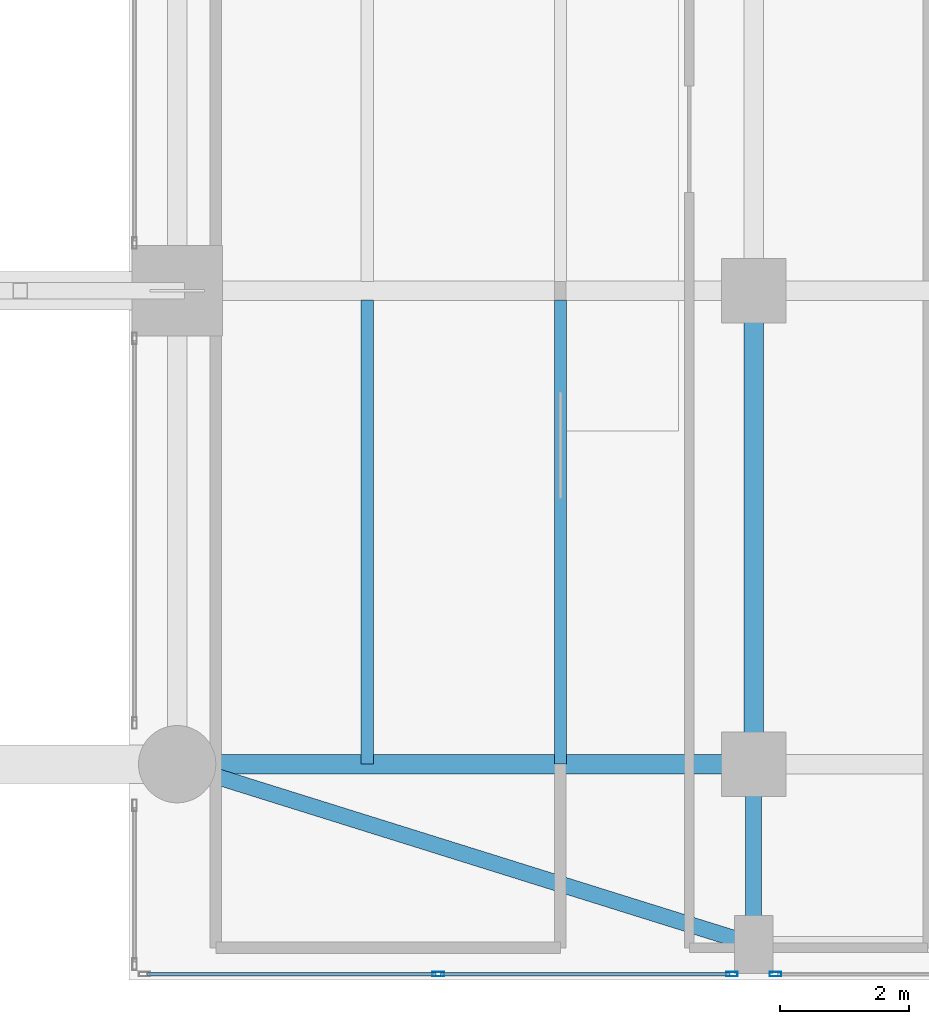
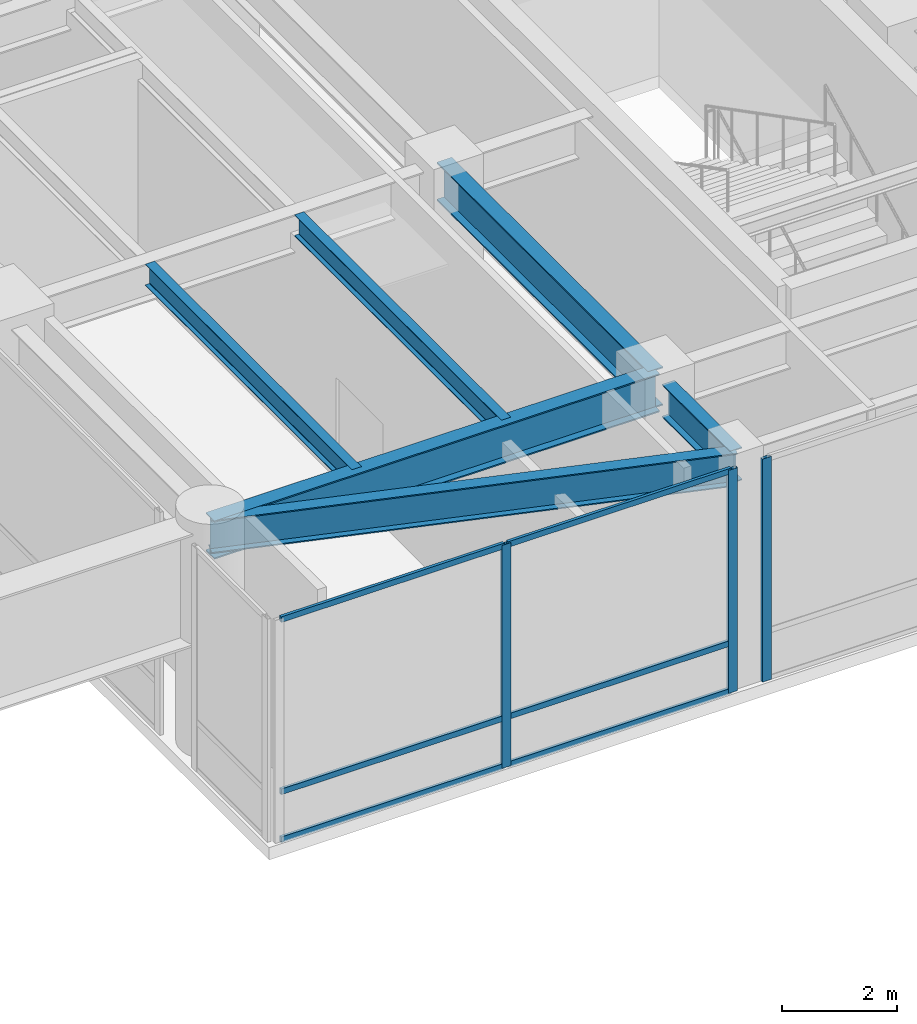
# One storey, part 17 of 39: 9 members, 6 beams, 2 elements without a shape of their own.
"""IFC4 building model written with IfcOpenShell, lengths in metres."""

from ifc_helpers import new_model, si_unit, direction, frame, origin, origin_2d, place, context, subcontext, project, spatial, hollow_rectangle, i_section, extrude, source, transform, mapped, material, layer, layer_set, material_profile, profile_set, type_object, type_shapes, element, aggregate, save


model = new_model("IFC4")

# Units and contexts
model_context = context("Model", 3, precision=1e-05, world=origin(), true_north=direction((0.0, 1.0)))
body_context = subcontext(model_context, "Body", "Model", "MODEL_VIEW")
ifc_project = project(units=[si_unit("LENGTHUNIT", "METRE"), si_unit("AREAUNIT", "SQUARE_METRE"), si_unit("VOLUMEUNIT", "CUBIC_METRE"), si_unit("PLANEANGLEUNIT", "RADIAN"), si_unit("MASSUNIT", "GRAM", prefix="KILO")], contexts=[model_context])

# Site, building, storey
site_placement = place(None, origin())
site = spatial("IfcSite", under=ifc_project, at=site_placement, CompositionType="ELEMENT")
building_placement = place(site_placement, origin())
building = spatial("IfcBuilding", under=site, at=building_placement, Name="Tolvann Quenvar Hotel", CompositionType="ELEMENT")
storey_placement = place(building_placement, frame((0.0, 0.0, 11.0)))
storey = spatial("IfcBuildingStorey", under=building, at=storey_placement, Name="L02", CompositionType="ELEMENT", Elevation=11.0)

# Beams
ifc_material_1 = material(Name="Steel Grade 350", Category="steel")
ifc_material_profile_1 = material_profile(ifc_material_1, i_section(OverallWidth=0.300048828125, OverallDepth=0.81591796875, WebThickness=0.010009765625, FlangeThickness=0.028076171875, at=origin_2d()), Name="800WB192")
ifc_profile_set_1 = profile_set([ifc_material_profile_1], Name="Steel Grade 350")
beam_type_1 = type_object("IfcBeamType", Name="BM_GIRD_800WB192", PredefinedType="BEAM", material=ifc_profile_set_1)
shared_shape_1 = source(origin(), body_context, "Body", "SweptSolid", [
    extrude(i_section(OverallWidth=0.300048828125, OverallDepth=0.81591796875, WebThickness=0.010009765625, FlangeThickness=0.028076171875, at=origin_2d()), origin(), (0.0, 0.0, 1.0), 7.349853515625),
])
beam_1_placement = place(storey_placement, frame((47.199951171875, 0.85009765625, 4.33203125), z_axis=(0.0, 1.0, 0.0), x_axis=(-1.0, 0.0, 0.0)))
element("IfcBeam", 1, at=beam_1_placement, inside=storey, type_object=beam_type_1, Name="BM-L02-NS-H-0", PredefinedType="BEAM", context=body_context, shape_type="MappedRepresentation", body=[
    mapped(shared_shape_1, transform((0.0, 0.0, 0.0), x_axis=(1.0, 0.0, 0.0), y_axis=(0.0, 1.0, 0.0), z_axis=(0.0, 0.0, 1.0), scale=1.0)),
])
shared_shape_2 = source(origin(), body_context, "Body", "SweptSolid", [
    extrude(i_section(OverallWidth=0.300048828125, OverallDepth=0.81591796875, WebThickness=0.010009765625, FlangeThickness=0.028076171875, at=origin_2d()), origin(), (0.0, 0.0, 1.0), 8.949951171875),
])
type_shapes(beam_type_1, [shared_shape_1, shared_shape_2])
beam_2_placement = place(storey_placement, frame((38.25, 0.85009765625, 4.33203125), z_axis=(1.0, 0.0, 0.0), x_axis=(0.0, 1.0, 0.0)))
element("IfcBeam", 2, at=beam_2_placement, inside=storey, type_object=beam_type_1, Name="BM-L02-GE1-1", PredefinedType="BEAM", context=body_context, shape_type="MappedRepresentation", body=[
    mapped(shared_shape_2, transform((0.0, 0.0, 0.0), x_axis=(1.0, 0.0, 0.0), y_axis=(0.0, 1.0, 0.0), z_axis=(0.0, 0.0, 1.0), scale=1.0)),
])
ifc_material_profile_2 = material_profile(ifc_material_1, i_section(OverallWidth=0.25, OverallDepth=0.699951171875, WebThickness=0.010009765625, FlangeThickness=0.02392578125, at=origin_2d()), Name="700WB150")
ifc_profile_set_2 = profile_set([ifc_material_profile_2], Name="Steel Grade 350")
beam_type_2 = type_object("IfcBeamType", Name="BM_GIRD_700WB150", PredefinedType="BEAM", material=ifc_profile_set_2)
shared_shape_3 = source(origin(), body_context, "Body", "SweptSolid", [
    extrude(i_section(OverallWidth=0.25, OverallDepth=0.699951171875, WebThickness=0.010009765625, FlangeThickness=0.02392578125, at=origin_2d()), origin(), (0.0, 0.0, 1.0), 2.349853515625),
])
beam_3_placement = place(storey_placement, frame((47.199951171875, -1.949951171875, 4.389892578125), z_axis=(0.0, 1.0, 0.0), x_axis=(-1.0, 0.0, 0.0)))
element("IfcBeam", 3, at=beam_3_placement, inside=storey, type_object=beam_type_2, Name="BM-L02-NSS-H", PredefinedType="BEAM", context=body_context, shape_type="MappedRepresentation", body=[
    mapped(shared_shape_3, transform((0.0, 0.0, 0.0), x_axis=(1.0, 0.0, 0.0), y_axis=(0.0, 1.0, 0.0), z_axis=(0.0, 0.0, 1.0), scale=1.0)),
])
shared_shape_4 = source(origin(), body_context, "Body", "SweptSolid", [
    extrude(i_section(OverallWidth=0.25, OverallDepth=0.699951171875, WebThickness=0.010009765625, FlangeThickness=0.02392578125, at=origin_2d()), origin(), (0.0, 0.0, 1.0), 9.377685546875),
])
type_shapes(beam_type_2, [shared_shape_3, shared_shape_4])
beam_4_placement = place(storey_placement, frame((38.25, 0.85009765625, 4.389892578125), z_axis=(0.954383110647, -0.298584792166, 0.0), x_axis=(0.298584792166, 0.954383110647, 0.0)))
element("IfcBeam", 4, at=beam_4_placement, inside=storey, type_object=beam_type_2, Name="BM-L02-EWS-E0", PredefinedType="BEAM", context=body_context, shape_type="MappedRepresentation", body=[
    mapped(shared_shape_4, transform((0.0, 0.0, 0.0), x_axis=(1.0, 0.0, 0.0), y_axis=(0.0, 1.0, 0.0), z_axis=(0.0, 0.0, 1.0), scale=1.0)),
])
ifc_material_profile_3 = material_profile(ifc_material_1, i_section(OverallWidth=0.18994140625, OverallDepth=0.4541015625, WebThickness=0.008544921875, FlangeThickness=0.0126953125, FilletRadius=0.011474609375, at=origin_2d()), Name="460UB67")
ifc_profile_set_3 = profile_set([ifc_material_profile_3], Name="Steel Grade 350")
beam_type_3 = type_object("IfcBeamType", Name="BM_JOIST_460UB67", PredefinedType="JOIST", material=ifc_profile_set_3)
shared_shape_5 = source(origin(), body_context, "Body", "SweptSolid", [
    extrude(i_section(OverallWidth=0.18994140625, OverallDepth=0.4541015625, WebThickness=0.008544921875, FlangeThickness=0.0126953125, FilletRadius=0.011474609375, at=origin_2d()), origin(), (0.0, 0.0, 1.0), 7.205810546875),
])
type_shapes(beam_type_3, [shared_shape_5])
for number, where, z_axis, x_axis, name in (
    (5, (41.199951171875, 0.85009765625, 4.512939453125), (0.0, 1.0, 0.0), (-1.0, 0.0, 0.0), "BJ-L02-412-8"),
    (6, (44.199951171875, 0.85009765625, 4.512939453125), (0.0, 1.0, 0.0), (-1.0, 0.0, 0.0), "BJ-L02-442-8"),
):
    element("IfcBeam", number, at=place(storey_placement, frame(where, z_axis=z_axis, x_axis=x_axis)), inside=storey, type_object=beam_type_3, Name=name, PredefinedType="JOIST", context=body_context, shape_type="MappedRepresentation", body=[
        mapped(shared_shape_5, transform((0.0, 0.0, 0.0), x_axis=(1.0, 0.0, 0.0), y_axis=(0.0, 1.0, 0.0), z_axis=(0.0, 0.0, 1.0), scale=1.0)),
    ])

# Curtain wall, members
ifc_material_2 = material(Name="Thermally broken anodised architectural aluminium 6063-T6 and laminated low-E glass", Category="aluminium")
ifc_layer = layer(ifc_material_2, 0.179931640625)
ifc_layer_set = layer_set([ifc_layer], Name="Thermally broken anodised architectural aluminium 6063-T6 and laminated low-E glass")
curtain_wall_type = type_object("IfcCurtainWallType", Name="CW_SYS_BALL_02", PredefinedType="USERDEFINED", material=ifc_layer_set)
curtain_wall_1_placement = place(storey_placement, origin())
curtain_wall_1 = element("IfcCurtainWall", 7, at=curtain_wall_1_placement, inside=storey, type_object=curtain_wall_type, Name="Curtain Wall CW-BALL-02 (CWR-L02-E04-S1)", ObjectType="UNITISED CURTAIN WALL", PredefinedType="USERDEFINED")
ifc_material_3 = material(Name="Anodised architectural aluminium 6063-T6 framing", Category="aluminium")
ifc_material_profile_4 = material_profile(ifc_material_3, hollow_rectangle(XDim=0.070068359375, YDim=0.179931640625, WallThickness=0.00390625, at=origin_2d()), Name="180x70x4RHS")
ifc_profile_set_4 = profile_set([ifc_material_profile_4], Name="Anodised architectural aluminium 6063-T6 framing")
member_type_1 = type_object("IfcMemberType", Name="CW_MULL_180x70", PredefinedType="MULLION", material=ifc_profile_set_4)
shared_shape_6 = source(origin(), body_context, "Body", "SweptSolid", [
    extrude(hollow_rectangle(XDim=0.070068359375, YDim=0.179931640625, WallThickness=0.00390625, at=origin_2d()), origin(), (0.0, 0.0, 1.0), 4.739990234375),
])
type_shapes(member_type_1, [shared_shape_6])
member_1_placement = place(storey_placement, frame((42.302978515625, -2.409912109375, 0.0), z_axis=(0.0, 0.0, 1.0), x_axis=(0.0, 1.0, 0.0)))
member_1 = element("IfcMember", 8, at=member_1_placement, type_object=member_type_1, Name="CW-BALL-02 mullion 2", PredefinedType="MULLION", context=body_context, shape_type="MappedRepresentation", body=[
    mapped(shared_shape_6, transform((0.0, 0.0, 0.0), x_axis=(1.0, 0.0, 0.0), y_axis=(0.0, 1.0, 0.0), z_axis=(0.0, 0.0, 1.0), scale=1.0)),
])
member_2_placement = place(storey_placement, frame((46.861083984375, -2.409912109375, 0.0), z_axis=(0.0, 0.0, 1.0), x_axis=(0.0, 1.0, 0.0)))
member_2 = element("IfcMember", 9, at=member_2_placement, type_object=member_type_1, Name="CW-BALL-02 mullion 3", PredefinedType="MULLION", context=body_context, shape_type="MappedRepresentation", body=[
    mapped(shared_shape_6, transform((0.0, 0.0, 0.0), x_axis=(1.0, 0.0, 0.0), y_axis=(0.0, 1.0, 0.0), z_axis=(0.0, 0.0, 1.0), scale=1.0)),
])

# Curtain wall, member
curtain_wall_2_placement = place(storey_placement, origin())
curtain_wall_2 = element("IfcCurtainWall", 10, at=curtain_wall_2_placement, inside=storey, type_object=curtain_wall_type, Name="Curtain Wall CW-BALL-02 (CWR-L02-E04-S2)", ObjectType="UNITISED CURTAIN WALL", PredefinedType="USERDEFINED")
member_3_placement = place(storey_placement, frame((47.5390625, -2.409912109375, 0.0), z_axis=(0.0, 0.0, 1.0), x_axis=(0.0, 1.0, 0.0)))
member_3 = element("IfcMember", 11, at=member_3_placement, type_object=member_type_1, Name="CW-BALL-02 mullion 1", PredefinedType="MULLION", context=body_context, shape_type="MappedRepresentation", body=[
    mapped(shared_shape_6, transform((0.0, 0.0, 0.0), x_axis=(1.0, 0.0, 0.0), y_axis=(0.0, 1.0, 0.0), z_axis=(0.0, 0.0, 1.0), scale=1.0)),
])
aggregate(curtain_wall_2, [member_3])

# Member
ifc_material_profile_5 = material_profile(ifc_material_3, hollow_rectangle(XDim=0.06005859375, YDim=0.1201171875, WallThickness=0.00341796875, at=origin_2d()), Name="120x60x3.5RHS")
ifc_profile_set_5 = profile_set([ifc_material_profile_5], Name="Anodised architectural aluminium 6063-T6 framing")
member_type_2 = type_object("IfcMemberType", Name="CW_TRAN_120x60", PredefinedType="USERDEFINED", material=ifc_profile_set_5)
shared_shape_7 = source(origin(), body_context, "Body", "SweptSolid", [
    extrude(hollow_rectangle(XDim=0.06005859375, YDim=0.1201171875, WallThickness=0.00341796875, at=origin_2d()), origin(), (0.0, 0.0, 1.0), 4.488037109375),
])
type_shapes(member_type_2, [shared_shape_7])
member_4_placement = place(storey_placement, frame((37.780029296875, -2.409912109375, 0.030029296875), z_axis=(1.0, 0.0, 0.0), x_axis=(0.0, 1.0, 0.0)))
member_4 = element("IfcMember", 12, at=member_4_placement, type_object=member_type_2, Name="CW-BALL-02 transom 1.1", ObjectType="TRANSOM", PredefinedType="USERDEFINED", context=body_context, shape_type="MappedRepresentation", body=[
    mapped(shared_shape_7, transform((0.0, 0.0, 0.0), x_axis=(1.0, 0.0, 0.0), y_axis=(0.0, 1.0, 0.0), z_axis=(0.0, 0.0, 1.0), scale=1.0)),
])

member_5_placement = place(storey_placement, frame((37.780029296875, -2.409912109375, 1.050048828125), z_axis=(1.0, 0.0, 0.0), x_axis=(0.0, 1.0, 0.0)))
member_5 = element("IfcMember", 13, at=member_5_placement, type_object=member_type_2, Name="CW-BALL-02 transom 1.2", ObjectType="TRANSOM", PredefinedType="USERDEFINED", context=body_context, shape_type="MappedRepresentation", body=[
    mapped(shared_shape_7, transform((0.0, 0.0, 0.0), x_axis=(1.0, 0.0, 0.0), y_axis=(0.0, 1.0, 0.0), z_axis=(0.0, 0.0, 1.0), scale=1.0)),
])

member_6_placement = place(storey_placement, frame((37.780029296875, -2.409912109375, 4.7099609375), z_axis=(1.0, 0.0, 0.0), x_axis=(0.0, 1.0, 0.0)))
member_6 = element("IfcMember", 14, at=member_6_placement, type_object=member_type_2, Name="CW-BALL-02 transom 1.3", ObjectType="TRANSOM", PredefinedType="USERDEFINED", context=body_context, shape_type="MappedRepresentation", body=[
    mapped(shared_shape_7, transform((0.0, 0.0, 0.0), x_axis=(1.0, 0.0, 0.0), y_axis=(0.0, 1.0, 0.0), z_axis=(0.0, 0.0, 1.0), scale=1.0)),
])

member_7_placement = place(storey_placement, frame((42.337890625, -2.409912109375, 0.030029296875), z_axis=(1.0, 0.0, 0.0), x_axis=(0.0, 1.0, 0.0)))
member_7 = element("IfcMember", 15, at=member_7_placement, type_object=member_type_2, Name="CW-BALL-02 transom 2.1", ObjectType="TRANSOM", PredefinedType="USERDEFINED", context=body_context, shape_type="MappedRepresentation", body=[
    mapped(shared_shape_7, transform((0.0, 0.0, 0.0), x_axis=(1.0, 0.0, 0.0), y_axis=(0.0, 1.0, 0.0), z_axis=(0.0, 0.0, 1.0), scale=1.0)),
])

member_8_placement = place(storey_placement, frame((42.337890625, -2.409912109375, 1.050048828125), z_axis=(1.0, 0.0, 0.0), x_axis=(0.0, 1.0, 0.0)))
member_8 = element("IfcMember", 16, at=member_8_placement, type_object=member_type_2, Name="CW-BALL-02 transom 2.2", ObjectType="TRANSOM", PredefinedType="USERDEFINED", context=body_context, shape_type="MappedRepresentation", body=[
    mapped(shared_shape_7, transform((0.0, 0.0, 0.0), x_axis=(1.0, 0.0, 0.0), y_axis=(0.0, 1.0, 0.0), z_axis=(0.0, 0.0, 1.0), scale=1.0)),
])

member_9_placement = place(storey_placement, frame((42.337890625, -2.409912109375, 4.7099609375), z_axis=(1.0, 0.0, 0.0), x_axis=(0.0, 1.0, 0.0)))
member_9 = element("IfcMember", 17, at=member_9_placement, type_object=member_type_2, Name="CW-BALL-02 transom 2.3", ObjectType="TRANSOM", PredefinedType="USERDEFINED", context=body_context, shape_type="MappedRepresentation", body=[
    mapped(shared_shape_7, transform((0.0, 0.0, 0.0), x_axis=(1.0, 0.0, 0.0), y_axis=(0.0, 1.0, 0.0), z_axis=(0.0, 0.0, 1.0), scale=1.0)),
])

aggregate(curtain_wall_1, [member_1, member_2, member_4, member_5, member_6, member_7, member_8, member_9])

save(model, "model.ifc")
